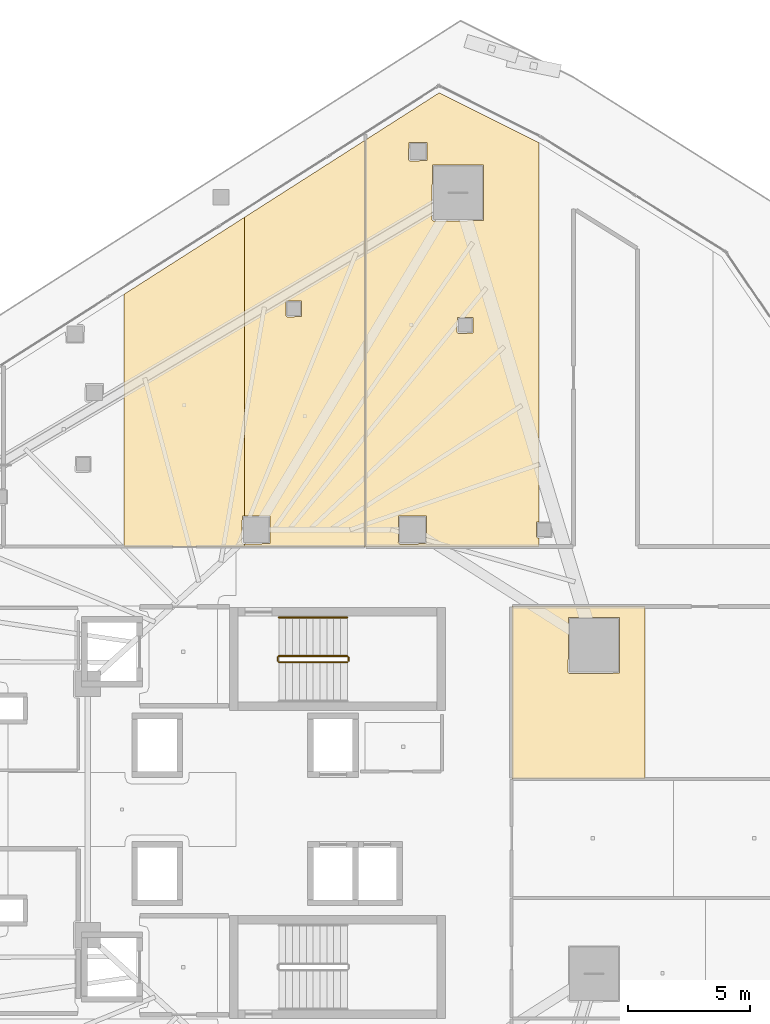
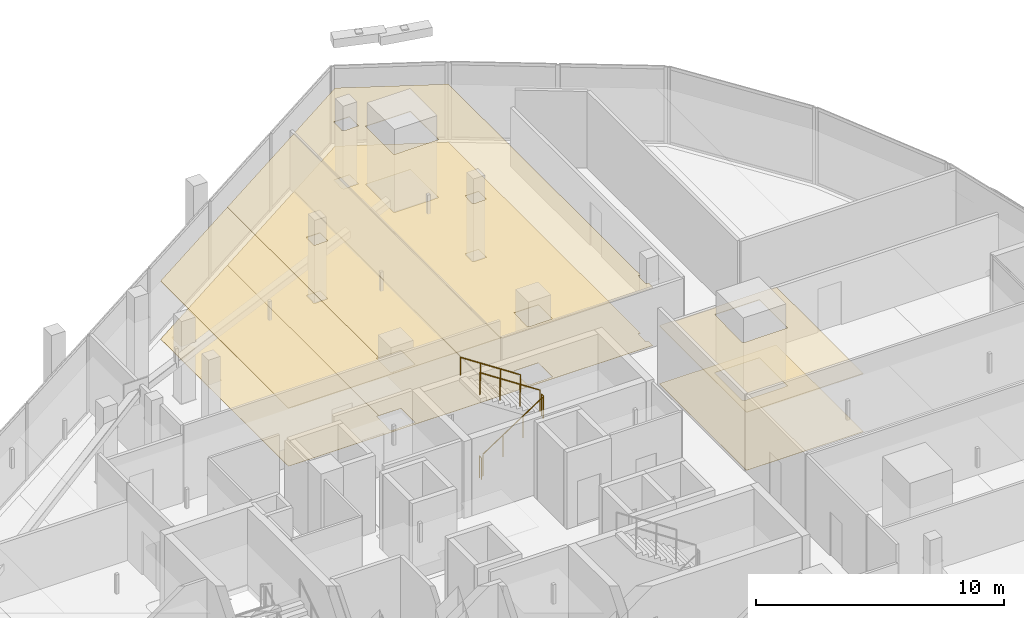
# One storey, part 42 of 43: 8 coverings, 5 railings.
"""IFC4 building model written with IfcOpenShell, lengths in metres."""

from ifc_helpers import new_model, si_unit, direction, frame, origin, origin_2d, place, context, subcontext, project, spatial, polyline, circle, outline, extrude, material, layer, layer_set, type_object, element, save


model = new_model("IFC4")

# Units and contexts
model_context = context("Model", 3, precision=1e-05, world=origin(), true_north=direction((0.0, 1.0)))
body_context = subcontext(model_context, "Body", "Model", "MODEL_VIEW")
ifc_project = project(units=[si_unit("LENGTHUNIT", "METRE"), si_unit("AREAUNIT", "SQUARE_METRE"), si_unit("VOLUMEUNIT", "CUBIC_METRE"), si_unit("PLANEANGLEUNIT", "RADIAN"), si_unit("MASSUNIT", "GRAM", prefix="KILO")], contexts=[model_context])

# Site, building, storey
site_placement = place(None, origin())
site = spatial("IfcSite", under=ifc_project, at=site_placement, CompositionType="ELEMENT")
building_placement = place(site_placement, origin())
building = spatial("IfcBuilding", under=site, at=building_placement, Name="Qorvath Tower", CompositionType="ELEMENT")
storey_placement = place(building_placement, frame((0.0, 0.0, 150.300048828125)))
storey = spatial("IfcBuildingStorey", under=building, at=storey_placement, Name="L34", CompositionType="ELEMENT", Elevation=150.300048828125)

# Coverings
ifc_material_1 = material(Name="Acoustic mineral fibre ceiling tile", Category="gypsum")
ifc_layer_1 = layer(ifc_material_1, 0.030029296875)
ifc_layer_set_1 = layer_set([ifc_layer_1], Name="COV-CEIL")
covering_type_1 = type_object("IfcCoveringType", Name="COV-CEIL", PredefinedType="CEILING", material=ifc_layer_set_1)
covering_1_placement = place(storey_placement, frame((0.0, 0.0, 2.849853515625)))
element("IfcCovering", 1, at=covering_1_placement, inside=storey, type_object=covering_type_1, Name="L34 Suspended Acoustic Ceiling 012", PredefinedType="CEILING", context=body_context, shape_type="SweptSolid", body=[
    extrude(outline(polyline([(-24.070556640625, 10.762939453125), (-24.070556640625, 10.865966796875), (-24.125, 10.864990234375), (-24.18505859375, 10.925048828125), (-24.16748046875, 12.017333984375), (-24.070556640625, 12.017333984375), (-24.070556640625, 24.24462890625), (-29.003662109375, 21.091796875), (-29.003662109375, 10.762939453125), (-24.070556640625, 10.762939453125)])), origin(), (0.0, 0.0, 1.0), 0.030029296875),
])
covering_2_placement = place(storey_placement, frame((0.0, 0.0, 2.849853515625)))
element("IfcCovering", 2, at=covering_2_placement, inside=storey, type_object=covering_type_1, Name="L34 Suspended Acoustic Ceiling 013", PredefinedType="CEILING", context=body_context, shape_type="SweptSolid", body=[
    extrude(outline(polyline([(-19.137451171875, 10.762939453125), (-19.137451171875, 27.3974609375), (-24.070556640625, 24.24462890625), (-24.070556640625, 12.017333984375), (-23.032470703125, 12.017333984375), (-23.032470703125, 10.882568359375), (-24.070556640625, 10.865966796875), (-24.070556640625, 10.762939453125), (-19.137451171875, 10.762939453125)]), holes=[polyline([(-22.38818359375, 20.219970703125), (-22.37060546875, 20.812255859375), (-21.73583984375, 20.812255859375), (-21.73583984375, 20.177490234375), (-22.328125, 20.159912109375), (-22.38818359375, 20.219970703125)])]), origin(), (0.0, 0.0, 1.0), 0.030029296875),
])
covering_3_placement = place(storey_placement, frame((0.0, 0.0, 2.849853515625)))
element("IfcCovering", 3, at=covering_3_placement, inside=storey, type_object=covering_type_1, Name="L34 Suspended Acoustic Ceiling 014", PredefinedType="CEILING", context=body_context, shape_type="SweptSolid", body=[
    extrude(outline(polyline([(-12.013671875, 10.762939453125), (-12.013671875, 11.11669921875), (-12.074951171875, 11.114990234375), (-12.135009765625, 11.175048828125), (-12.117431640625, 11.767333984375), (-12.013671875, 11.767333984375), (-12.013671875, 27.28466796875), (-16.109375, 29.3330078125), (-19.119384765625, 27.4091796875), (-19.119384765625, 10.762939453125), (-12.013671875, 10.762939453125)]), holes=[polyline([(-16.404296875, 24.14599609375), (-16.38671875, 26.388427734375), (-14.3017578125, 26.388427734375), (-14.3017578125, 24.103759765625), (-16.34423828125, 24.086181640625), (-16.404296875, 24.14599609375)]), polyline([(-15.381103515625, 19.543212890625), (-15.363525390625, 20.135498046875), (-14.728759765625, 20.135498046875), (-14.728759765625, 19.500732421875), (-15.321044921875, 19.483154296875), (-15.381103515625, 19.543212890625)]), polyline([(-17.3662109375, 26.604248046875), (-17.3486328125, 27.296630859375), (-16.61376953125, 27.296630859375), (-16.61376953125, 26.561767578125), (-17.30615234375, 26.544189453125), (-17.3662109375, 26.604248046875)]), polyline([(-17.784912109375, 10.925048828125), (-17.767333984375, 12.017333984375), (-16.632568359375, 12.017333984375), (-16.632568359375, 10.882568359375), (-17.72509765625, 10.864990234375), (-17.784912109375, 10.925048828125)])]), origin(), (0.0, 0.0, 1.0), 0.030029296875),
])
covering_4_placement = place(storey_placement, frame((0.0, 0.0, 2.849853515625)))
element("IfcCovering", 4, at=covering_4_placement, inside=storey, type_object=covering_type_1, Name="L34 Suspended Acoustic Ceiling 024", PredefinedType="CEILING", context=body_context, shape_type="SweptSolid", body=[
    extrude(outline(polyline([(-7.68603515625, 1.265380859375), (-7.68603515625, 8.312744140625), (-13.136962890625, 8.306884765625), (-13.136962890625, 1.265380859375), (-7.68603515625, 1.265380859375)]), holes=[polyline([(-10.830322265625, 5.621337890625), (-10.812744140625, 7.86376953125), (-8.727783203125, 7.86376953125), (-8.727783203125, 5.578857421875), (-10.770263671875, 5.561279296875), (-10.830322265625, 5.621337890625)])]), origin(), (0.0, 0.0, 1.0), 0.030029296875),
])
ifc_material_2 = material(Name="Low-VOC modular carpet tile", Category="textile")
ifc_layer_2 = layer(ifc_material_2, 0.014892578125)
ifc_layer_set_2 = layer_set([ifc_layer_2], Name="COV-FLOOR-CPT")
covering_type_2 = type_object("IfcCoveringType", Name="COV-FLOOR-CPT", PredefinedType="FLOORING", material=ifc_layer_set_2)
covering_5_placement = place(storey_placement, origin())
element("IfcCovering", 5, at=covering_5_placement, inside=storey, type_object=covering_type_2, Name="L34 Floor Finish 012", PredefinedType="FLOORING", context=body_context, shape_type="SweptSolid", body=[
    extrude(outline(polyline([(-24.070556640625, 10.762939453125), (-24.070556640625, 10.865966796875), (-24.125, 10.864990234375), (-24.18505859375, 10.925048828125), (-24.16748046875, 12.017333984375), (-24.070556640625, 12.017333984375), (-24.070556640625, 24.24462890625), (-29.003662109375, 21.091796875), (-29.003662109375, 10.762939453125), (-24.070556640625, 10.762939453125)])), origin(), (0.0, 0.0, 1.0), 0.014892578125),
])
covering_6_placement = place(storey_placement, origin())
element("IfcCovering", 6, at=covering_6_placement, inside=storey, type_object=covering_type_2, Name="L34 Floor Finish 013", PredefinedType="FLOORING", context=body_context, shape_type="SweptSolid", body=[
    extrude(outline(polyline([(-19.137451171875, 10.762939453125), (-19.137451171875, 27.3974609375), (-24.070556640625, 24.24462890625), (-24.070556640625, 12.017333984375), (-23.032470703125, 12.017333984375), (-23.032470703125, 10.882568359375), (-24.070556640625, 10.865966796875), (-24.070556640625, 10.762939453125), (-19.137451171875, 10.762939453125)]), holes=[polyline([(-22.38818359375, 20.219970703125), (-22.37060546875, 20.812255859375), (-21.73583984375, 20.812255859375), (-21.73583984375, 20.177490234375), (-22.328125, 20.159912109375), (-22.38818359375, 20.219970703125)])]), origin(), (0.0, 0.0, 1.0), 0.014892578125),
])
covering_7_placement = place(storey_placement, origin())
element("IfcCovering", 7, at=covering_7_placement, inside=storey, type_object=covering_type_2, Name="L34 Floor Finish 014", PredefinedType="FLOORING", context=body_context, shape_type="SweptSolid", body=[
    extrude(outline(polyline([(-12.013671875, 10.762939453125), (-12.013671875, 11.11669921875), (-12.074951171875, 11.114990234375), (-12.135009765625, 11.175048828125), (-12.117431640625, 11.767333984375), (-12.013671875, 11.767333984375), (-12.013671875, 27.28466796875), (-16.109375, 29.3330078125), (-19.119384765625, 27.4091796875), (-19.119384765625, 10.762939453125), (-12.013671875, 10.762939453125)]), holes=[polyline([(-16.404296875, 24.14599609375), (-16.38671875, 26.388427734375), (-14.3017578125, 26.388427734375), (-14.3017578125, 24.103759765625), (-16.34423828125, 24.086181640625), (-16.404296875, 24.14599609375)]), polyline([(-15.381103515625, 19.543212890625), (-15.363525390625, 20.135498046875), (-14.728759765625, 20.135498046875), (-14.728759765625, 19.500732421875), (-15.321044921875, 19.483154296875), (-15.381103515625, 19.543212890625)]), polyline([(-17.3662109375, 26.604248046875), (-17.3486328125, 27.296630859375), (-16.61376953125, 27.296630859375), (-16.61376953125, 26.561767578125), (-17.30615234375, 26.544189453125), (-17.3662109375, 26.604248046875)]), polyline([(-17.784912109375, 10.925048828125), (-17.767333984375, 12.017333984375), (-16.632568359375, 12.017333984375), (-16.632568359375, 10.882568359375), (-17.72509765625, 10.864990234375), (-17.784912109375, 10.925048828125)])]), origin(), (0.0, 0.0, 1.0), 0.014892578125),
])
covering_8_placement = place(storey_placement, origin())
element("IfcCovering", 8, at=covering_8_placement, inside=storey, type_object=covering_type_2, Name="L34 Floor Finish 024", PredefinedType="FLOORING", context=body_context, shape_type="SweptSolid", body=[
    extrude(outline(polyline([(-7.68603515625, 1.265380859375), (-7.68603515625, 8.312744140625), (-13.136962890625, 8.306884765625), (-13.136962890625, 1.265380859375), (-7.68603515625, 1.265380859375)]), holes=[polyline([(-10.830322265625, 5.621337890625), (-10.812744140625, 7.86376953125), (-8.727783203125, 7.86376953125), (-8.727783203125, 5.578857421875), (-10.770263671875, 5.561279296875), (-10.830322265625, 5.621337890625)])]), origin(), (0.0, 0.0, 1.0), 0.014892578125),
])

# Railings
ifc_material_3 = material(Name="Painted galvanised steel", Category="steel")
railing_type_1 = type_object("IfcRailingType", Name="RL-STR-GRD", PredefinedType="GUARDRAIL", material=ifc_material_3)
railing_1_placement = place(storey_placement, frame((-22.669921875, 6.030029296875, 0.18408203125)))
element("IfcRailing", 9, at=railing_1_placement, inside=storey, type_object=railing_type_1, Name="L34 TS1 stair guard 1", PredefinedType="GUARDRAIL", context=body_context, shape_type="SweptSolid", body=[
    extrude(circle(Radius=0.02392578125, at=origin_2d()), frame((0.0, 0.0, 1.076171875), z_axis=(0.835575518608, 0.0, 0.549375602573), x_axis=(0.0, 1.0, 0.0)), (0.0, 0.0, 1.0), 3.350830078125),
    extrude(circle(Radius=0.02099609375, at=origin_2d()), origin(), (0.0, 0.0, 1.0), 1.052001953125),
    extrude(circle(Radius=0.02099609375, at=origin_2d()), frame((0.933349609375, 0.0, 0.613525390625)), (0.0, 0.0, 1.0), 1.052001953125),
    extrude(circle(Radius=0.02099609375, at=origin_2d()), frame((1.866455078125, 0.0, 1.227294921875)), (0.0, 0.0, 1.0), 1.052001953125),
    extrude(circle(Radius=0.02099609375, at=origin_2d()), frame((2.7998046875, 0.0, 1.8408203125)), (0.0, 0.0, 1.0), 1.052001953125),
])
railing_2_placement = place(storey_placement, frame((-19.820068359375, 6.080078125, 2.02490234375)))
element("IfcRailing", 10, at=railing_2_placement, inside=storey, type_object=railing_type_1, Name="L34 TS1 stair guard 2", PredefinedType="GUARDRAIL", context=body_context, shape_type="SweptSolid", body=[
    extrude(circle(Radius=0.02392578125, at=origin_2d()), frame((0.0, 0.0, 1.076171875), z_axis=(0.0, 1.0, 0.0), x_axis=(-1.0, 0.0, 0.0)), (0.0, 0.0, 1.0), 0.14990234375),
    extrude(circle(Radius=0.02099609375, at=origin_2d()), origin(), (0.0, 0.0, 1.0), 1.052001953125),
    extrude(circle(Radius=0.02099609375, at=origin_2d()), frame((0.0, 0.14990234375, 0.0)), (0.0, 0.0, 1.0), 1.052001953125),
])
railing_3_placement = place(storey_placement, frame((-19.8701171875, 6.280029296875, 2.208984375)))
element("IfcRailing", 11, at=railing_3_placement, inside=storey, type_object=railing_type_1, Name="L34 TS1 stair guard 3", PredefinedType="GUARDRAIL", context=body_context, shape_type="SweptSolid", body=[
    extrude(circle(Radius=0.02392578125, at=origin_2d()), frame((0.0, 0.0, 1.076171875), z_axis=(-0.835542071712, 0.0, 0.549426470421), x_axis=(0.0, -1.0, 0.0)), (0.0, 0.0, 1.0), 3.350830078125),
    extrude(circle(Radius=0.02099609375, at=origin_2d()), origin(), (0.0, 0.0, 1.0), 1.052001953125),
    extrude(circle(Radius=0.02099609375, at=origin_2d()), frame((-0.933349609375, 0.0, 0.61376953125)), (0.0, 0.0, 1.0), 1.052001953125),
    extrude(circle(Radius=0.02099609375, at=origin_2d()), frame((-1.866455078125, 0.0, 1.227294921875)), (0.0, 0.0, 1.0), 1.052001953125),
    extrude(circle(Radius=0.02099609375, at=origin_2d()), frame((-2.7998046875, 0.0, 1.841064453125)), (0.0, 0.0, 1.0), 1.052001953125),
])
railing_4_placement = place(storey_placement, frame((-22.719970703125, 6.080078125, 0.0)))
element("IfcRailing", 12, at=railing_4_placement, inside=storey, type_object=railing_type_1, Name="L34 TS1 stair guard 4", PredefinedType="GUARDRAIL", context=body_context, shape_type="SweptSolid", body=[
    extrude(circle(Radius=0.02392578125, at=origin_2d()), frame((0.0, 0.0, 1.076171875), z_axis=(0.0, 1.0, 0.0), x_axis=(-1.0, 0.0, 0.0)), (0.0, 0.0, 1.0), 0.14990234375),
    extrude(circle(Radius=0.02099609375, at=origin_2d()), origin(), (0.0, 0.0, 1.0), 1.052001953125),
    extrude(circle(Radius=0.02099609375, at=origin_2d()), frame((0.0, 0.14990234375, 0.0)), (0.0, 0.0, 1.0), 1.052001953125),
])
ifc_material_4 = material(Name="Brushed stainless steel AISI 304", Category="steel")
railing_type_2 = type_object("IfcRailingType", Name="RL-STR-HND", PredefinedType="HANDRAIL", material=ifc_material_4)
railing_5_placement = place(storey_placement, frame((-19.8701171875, 7.860107421875, 2.208984375)))
element("IfcRailing", 13, at=railing_5_placement, inside=storey, type_object=railing_type_2, Name="L34 TS1 stair handrail 2", PredefinedType="HANDRAIL", context=body_context, shape_type="SweptSolid", body=[
    extrude(circle(Radius=0.02392578125, at=origin_2d()), frame((0.0, 0.0, 0.8759765625), z_axis=(-0.835542071712, 0.0, 0.549426470421), x_axis=(0.0, -1.0, 0.0)), (0.0, 0.0, 1.0), 3.350830078125),
    extrude(circle(Radius=0.02099609375, at=origin_2d()), origin(), (0.0, 0.0, 1.0), 0.851806640625),
    extrude(circle(Radius=0.02099609375, at=origin_2d()), frame((-0.933349609375, 0.0, 0.61376953125)), (0.0, 0.0, 1.0), 0.851806640625),
    extrude(circle(Radius=0.02099609375, at=origin_2d()), frame((-1.866455078125, 0.0, 1.227294921875)), (0.0, 0.0, 1.0), 0.851806640625),
    extrude(circle(Radius=0.02099609375, at=origin_2d()), frame((-2.7998046875, 0.0, 1.841064453125)), (0.0, 0.0, 1.0), 0.851806640625),
])

save(model, "model.ifc")
